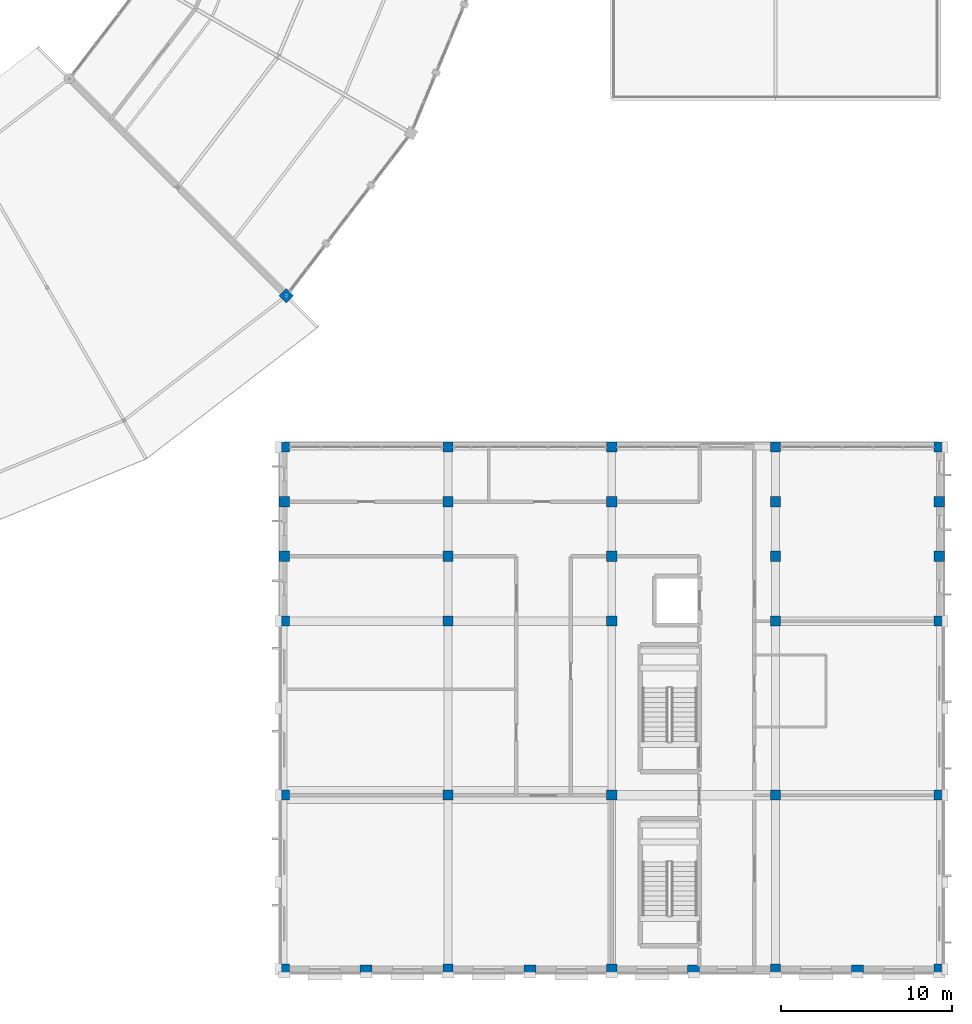
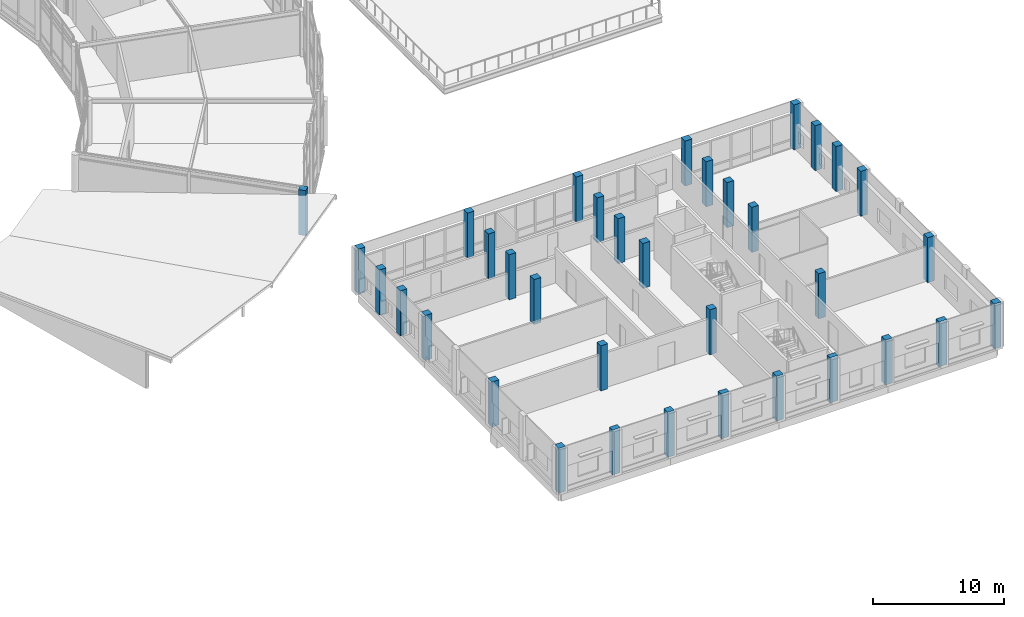
# One storey, part 14 of 185: 35 columns.
"""IFC4 building model written with IfcOpenShell, lengths in metres."""

from ifc_helpers import new_model, si_unit, direction, frame, origin, origin_2d, place, context, subcontext, project, spatial, rectangle, extrude, material, material_profile, profile_set, type_object, element, save


model = new_model("IFC4")

# Units and contexts
model_context = context("Model", 3, precision=1e-05, world=origin(), true_north=direction((0.0, 1.0)))
body_context = subcontext(model_context, "Body", "Model", "MODEL_VIEW")
ifc_project = project(units=[si_unit("LENGTHUNIT", "METRE"), si_unit("AREAUNIT", "SQUARE_METRE"), si_unit("VOLUMEUNIT", "CUBIC_METRE"), si_unit("PLANEANGLEUNIT", "RADIAN"), si_unit("MASSUNIT", "GRAM", prefix="KILO")], contexts=[model_context])

# Site, building, storey
site_placement = place(None, origin())
site = spatial("IfcSite", under=ifc_project, at=site_placement, CompositionType="ELEMENT")
building_placement = place(site_placement, origin())
building = spatial("IfcBuilding", under=site, at=building_placement, Name="Vondelvale Polytechnic", CompositionType="ELEMENT")
storey_placement = place(building_placement, frame((0.0, 0.0, 9.60009765625)))
storey = spatial("IfcBuildingStorey", under=building, at=storey_placement, Name="L02", CompositionType="ELEMENT", Elevation=9.60009765625)

# Columns
ifc_material = material(Name="Concrete N50 (f'c = 50 MPa)", Category="concrete")
ifc_material_profile_1 = material_profile(ifc_material, rectangle(XDim=0.60009765625, YDim=0.60009765625, at=origin_2d()), Name="RC-COL-600x600")
ifc_profile_set_1 = profile_set([ifc_material_profile_1], Name="Concrete N50 (f'c = 50 MPa)")
column_type_1 = type_object("IfcColumnType", Name="COL-RC600", PredefinedType="COLUMN", material=ifc_profile_set_1)
for number, where, z_axis, x_axis, name in (
    (1, (134.39990234375, 0.0, 0.0), (0.0, 0.0, 1.0), (1.0, 0.0, 0.0), "L02 lecture wing column (134.4,0.0)"),
    (2, (134.39990234375, 10.199951171875, 0.0), (0.0, 0.0, 1.0), (1.0, 0.0, 0.0), "L02 lecture wing column (134.4,10.2)"),
    (3, (134.39990234375, 20.39990234375, 0.0), (0.0, 0.0, 1.0), (1.0, 0.0, 0.0), "L02 lecture wing column (134.4,20.4)"),
    (4, (134.39990234375, 24.199951171875, 0.0), (0.0, 0.0, 1.0), (1.0, 0.0, 0.0), "L02 lecture wing column (134.4,24.2)"),
    (5, (134.39990234375, 27.39990234375, 0.0), (0.0, 0.0, 1.0), (1.0, 0.0, 0.0), "L02 lecture wing column (134.4,27.4)"),
    (6, (134.39990234375, 30.60009765625, 0.0), (0.0, 0.0, 1.0), (1.0, 0.0, 0.0), "L02 lecture wing column (134.4,30.6)"),
    (7, (144.0, 0.0, 0.0), (0.0, 0.0, 1.0), (1.0, 0.0, 0.0), "L02 lecture wing column (144.0,0.0)"),
    (8, (144.0, 10.199951171875, 0.0), (0.0, 0.0, 1.0), (1.0, 0.0, 0.0), "L02 lecture wing column (144.0,10.2)"),
    (9, (144.0, 20.39990234375, 0.0), (0.0, 0.0, 1.0), (1.0, 0.0, 0.0), "L02 lecture wing column (144.0,20.4)"),
    (10, (144.0, 24.199951171875, 0.0), (0.0, 0.0, 1.0), (1.0, 0.0, 0.0), "L02 lecture wing column (144.0,24.2)"),
    (11, (144.0, 27.39990234375, 0.0), (0.0, 0.0, 1.0), (1.0, 0.0, 0.0), "L02 lecture wing column (144.0,27.4)"),
    (12, (144.0, 30.60009765625, 0.0), (0.0, 0.0, 1.0), (1.0, 0.0, 0.0), "L02 lecture wing column (144.0,30.6)"),
    (13, (153.60009765625, 0.0, 0.0), (0.0, 0.0, 1.0), (1.0, 0.0, 0.0), "L02 lecture wing column (153.6,0.0)"),
    (14, (153.60009765625, 10.199951171875, 0.0), (0.0, 0.0, 1.0), (1.0, 0.0, 0.0), "L02 lecture wing column (153.6,10.2)"),
    (15, (153.60009765625, 20.39990234375, 0.0), (0.0, 0.0, 1.0), (1.0, 0.0, 0.0), "L02 lecture wing column (153.6,20.4)"),
    (16, (153.60009765625, 24.199951171875, 0.0), (0.0, 0.0, 1.0), (1.0, 0.0, 0.0), "L02 lecture wing column (153.6,24.2)"),
    (17, (153.60009765625, 27.39990234375, 0.0), (0.0, 0.0, 1.0), (1.0, 0.0, 0.0), "L02 lecture wing column (153.6,27.4)"),
    (18, (153.60009765625, 30.60009765625, 0.0), (0.0, 0.0, 1.0), (1.0, 0.0, 0.0), "L02 lecture wing column (153.6,30.6)"),
    (19, (163.199951171875, 0.0, 0.0), (0.0, 0.0, 1.0), (1.0, 0.0, 0.0), "L02 lecture wing column (163.2,0.0)"),
    (20, (163.199951171875, 10.199951171875, 0.0), (0.0, 0.0, 1.0), (1.0, 0.0, 0.0), "L02 lecture wing column (163.2,10.2)"),
    (21, (163.199951171875, 20.39990234375, 0.0), (0.0, 0.0, 1.0), (1.0, 0.0, 0.0), "L02 lecture wing column (163.2,20.4)"),
    (22, (163.199951171875, 24.199951171875, 0.0), (0.0, 0.0, 1.0), (1.0, 0.0, 0.0), "L02 lecture wing column (163.2,24.2)"),
    (23, (163.199951171875, 27.39990234375, 0.0), (0.0, 0.0, 1.0), (1.0, 0.0, 0.0), "L02 lecture wing column (163.2,27.4)"),
    (24, (163.199951171875, 30.60009765625, 0.0), (0.0, 0.0, 1.0), (1.0, 0.0, 0.0), "L02 lecture wing column (163.2,30.6)"),
    (25, (172.800048828125, 0.0, 0.0), (0.0, 0.0, 1.0), (1.0, 0.0, 0.0), "L02 lecture wing column (172.8,0.0)"),
    (26, (172.800048828125, 10.199951171875, 0.0), (0.0, 0.0, 1.0), (1.0, 0.0, 0.0), "L02 lecture wing column (172.8,10.2)"),
    (27, (172.800048828125, 20.39990234375, 0.0), (0.0, 0.0, 1.0), (1.0, 0.0, 0.0), "L02 lecture wing column (172.8,20.4)"),
    (28, (172.800048828125, 24.199951171875, 0.0), (0.0, 0.0, 1.0), (1.0, 0.0, 0.0), "L02 lecture wing column (172.8,24.2)"),
    (29, (172.800048828125, 27.39990234375, 0.0), (0.0, 0.0, 1.0), (1.0, 0.0, 0.0), "L02 lecture wing column (172.8,27.4)"),
    (30, (172.800048828125, 30.60009765625, 0.0), (0.0, 0.0, 1.0), (1.0, 0.0, 0.0), "L02 lecture wing column (172.8,30.6)"),
    (31, (134.52685546875, 39.47314453125, 0.0), (0.0, 0.0, 1.0), (-0.707106781187, 0.707106781187, 0.0), "L02 courtyard ring column S21-RO"),
):
    element("IfcColumn", number, at=place(storey_placement, frame(where, z_axis=z_axis, x_axis=x_axis)), inside=storey, type_object=column_type_1, Name=name, PredefinedType="COLUMN", context=body_context, shape_type="SweptSolid", body=[
        extrude(rectangle(XDim=0.60009765625, YDim=0.60009765625, at=origin_2d()), origin(), (0.0, 0.0, 1.0), 4.199951171875),
    ])
ifc_material_profile_2 = material_profile(ifc_material, rectangle(XDim=0.449951171875, YDim=0.699951171875, at=origin_2d()), Name="RC-PIL-700x450")
ifc_profile_set_2 = profile_set([ifc_material_profile_2], Name="Concrete N50 (f'c = 50 MPa)")
column_type_2 = type_object("IfcColumnType", Name="PIL-RC700x450", PredefinedType="PILASTER", material=ifc_profile_set_2)
for number, where, z_axis, x_axis, name in (
    (32, (139.199951171875, 0.0, 0.0), (0.0, 0.0, 1.0), (0.0, 1.0, 0.0), "L02 Lecture wing South brick pilaster 1"),
    (33, (148.800048828125, 0.0, 0.0), (0.0, 0.0, 1.0), (0.0, 1.0, 0.0), "L02 Lecture wing South brick pilaster 2"),
    (34, (158.39990234375, 0.0, 0.0), (0.0, 0.0, 1.0), (0.0, 1.0, 0.0), "L02 Lecture wing South brick pilaster 3"),
    (35, (168.0, 0.0, 0.0), (0.0, 0.0, 1.0), (0.0, 1.0, 0.0), "L02 Lecture wing South brick pilaster 4"),
):
    element("IfcColumn", number, at=place(storey_placement, frame(where, z_axis=z_axis, x_axis=x_axis)), inside=storey, type_object=column_type_2, Name=name, PredefinedType="PILASTER", context=body_context, shape_type="SweptSolid", body=[
        extrude(rectangle(XDim=0.449951171875, YDim=0.699951171875, at=origin_2d()), origin(), (0.0, 0.0, 1.0), 4.199951171875),
    ])

save(model, "model.ifc")
